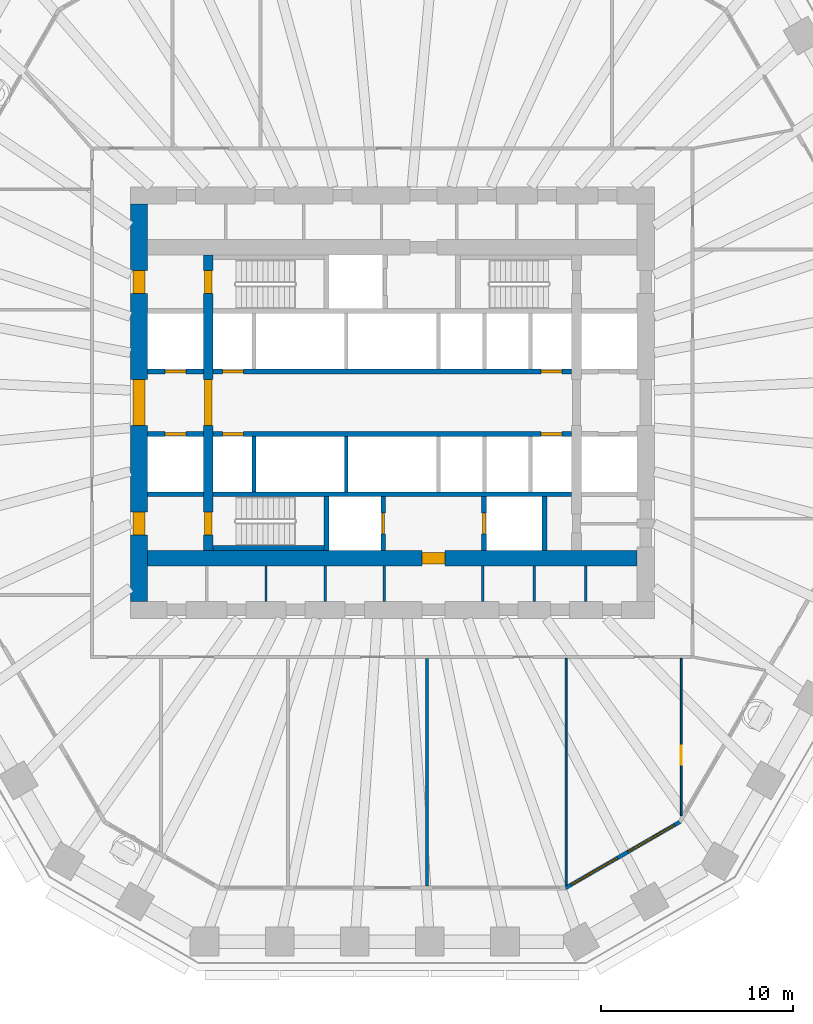
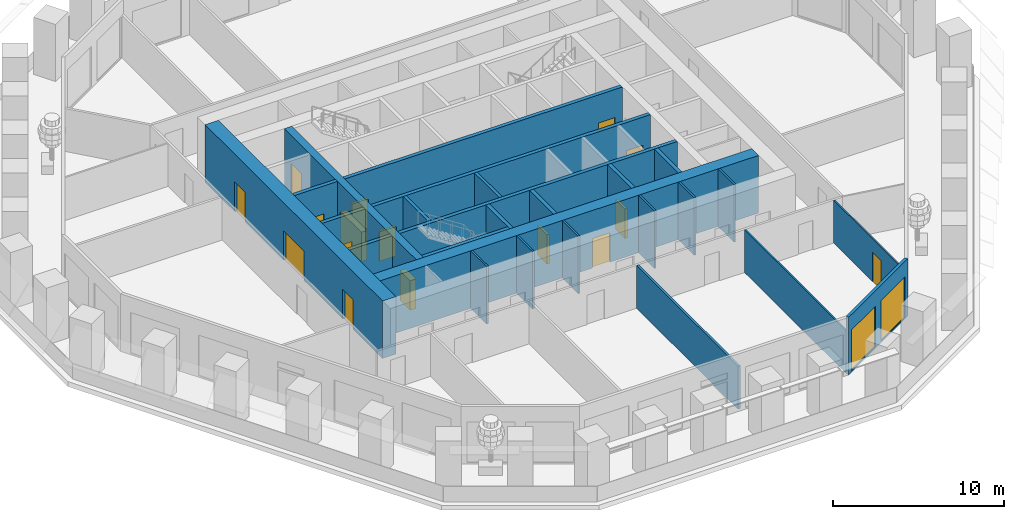
# One storey, part 4 of 12: 26 walls, 16 doors, 2 windows, 18 openings.
"""IFC4 building model written with IfcOpenShell, lengths in metres."""

from ifc_helpers import new_model, si_unit, direction, frame, frame_2d, origin, place, context, subcontext, project, spatial, polyline, rectangle, outline, extrude, material, layer, layer_set, type_object, element, fill, save


model = new_model("IFC4")

# Units and contexts
model_context = context("Model", 3, precision=1e-05, world=origin(), true_north=direction((0.0, 1.0)))
body_context = subcontext(model_context, "Body", "Model", "MODEL_VIEW")
ifc_project = project(units=[si_unit("LENGTHUNIT", "METRE"), si_unit("AREAUNIT", "SQUARE_METRE"), si_unit("VOLUMEUNIT", "CUBIC_METRE"), si_unit("PLANEANGLEUNIT", "RADIAN"), si_unit("MASSUNIT", "GRAM", prefix="KILO")], contexts=[model_context])

# Site, building, storey
site_placement = place(None, origin())
site = spatial("IfcSite", under=ifc_project, at=site_placement, CompositionType="ELEMENT")
building_placement = place(site_placement, origin())
building = spatial("IfcBuilding", under=site, at=building_placement, Name="Frailejon Research Tower", CompositionType="ELEMENT")
storey_placement = place(building_placement, frame((0.0, 0.0, 58.60009765625)))
storey = spatial("IfcBuildingStorey", under=building, at=storey_placement, Name="L13", CompositionType="ELEMENT", Elevation=58.60009765625)

# Walls
ifc_material_1 = material(Name="Plasterboard on steel studs", Category="steel")
ifc_layer_1 = layer(ifc_material_1, 0.125)
ifc_layer_set_1 = layer_set([ifc_layer_1], Name="Core partition 125")
wall_type_1 = type_object("IfcWallType", Name="Core partition 125", PredefinedType="PARTITIONING", material=ifc_layer_set_1)
for number, where, z_axis, x_axis, name in (
    (1, (-6.581298828125, -10.35009765625, 0.0), (0.0, 0.0, 1.0), (0.0, 1.0, 0.0), "Core partition"),
    (2, (-3.496826171875, -10.35009765625, 0.0), (0.0, 0.0, 1.0), (0.0, 1.0, 0.0), "Core partition"),
    (3, (-0.41259765625, -10.35009765625, 0.0), (0.0, 0.0, 1.0), (0.0, 1.0, 0.0), "Core partition"),
    (4, (4.71240234375, -10.35009765625, 0.0), (0.0, 0.0, 1.0), (0.0, 1.0, 0.0), "Core partition"),
    (5, (7.3916015625, -10.35009765625, 0.0), (0.0, 0.0, 1.0), (0.0, 1.0, 0.0), "Core partition"),
    (6, (10.07080078125, -10.35009765625, 0.0), (0.0, 0.0, 1.0), (0.0, 1.0, 0.0), "Core partition"),
):
    element("IfcWall", number, at=place(storey_placement, frame(where, z_axis=z_axis, x_axis=x_axis)), inside=storey, type_object=wall_type_1, Name=name, PredefinedType="PARTITIONING", context=body_context, shape_type="SweptSolid", body=[
        extrude(rectangle(XDim=1.85009765625, YDim=0.125, at=frame_2d((0.925048828125, 0.0))), origin(), (0.0, 0.0, 1.0), 4.099853515625),
    ])

# Wall, openings, doors
ifc_material_2 = material(Name="Concrete C70/85", Category="concrete")
ifc_layer_2 = layer(ifc_material_2, 0.5)
ifc_layer_set_2 = layer_set([ifc_layer_2], Name="Core shear wall 500 C70/85")
wall_type_2 = type_object("IfcWallType", Name="Core shear wall 500 C70/85", PredefinedType="SHEAR", material=ifc_layer_set_2)
wall_1_placement = place(storey_placement, frame((-9.60009765625, -7.699951171875, 0.0), z_axis=(0.0, 0.0, 1.0), x_axis=(0.0, 1.0, 0.0)))
wall_1 = element("IfcWall", 7, at=wall_1_placement, inside=storey, type_object=wall_type_2, Name="Core shear wall", PredefinedType="SHEAR", context=body_context, shape_type="SweptSolid", body=[
    extrude(rectangle(XDim=15.39990234375, YDim=0.5, at=frame_2d((7.699951171875, 0.0))), origin(), (0.0, 0.0, 1.0), 4.099853515625),
])
opening_1_placement = place(wall_1_placement, frame((6.5, 0.0, 0.0)))
opening_1 = element("IfcOpeningElement", 8, at=opening_1_placement, cuts=wall_1, Name="Opening D2", PredefinedType="OPENING", context=body_context, shape_type="SweptSolid", body=[
    extrude(rectangle(XDim=2.39990234375, YDim=2.10009765625, at=frame_2d((1.199951171875, 1.050048828125))), frame((0.0, 0.260009765625, 0.0), z_axis=(0.0, -1.0, 0.0), x_axis=(1.0, 0.0, 0.0)), (0.0, 0.0, 1.0), 0.52001953125),
])
opening_2_placement = place(wall_1_placement, frame((13.39990234375, 0.0, 0.0)))
opening_2 = element("IfcOpeningElement", 9, at=opening_2_placement, cuts=wall_1, Name="Opening D1", PredefinedType="OPENING", context=body_context, shape_type="SweptSolid", body=[
    extrude(rectangle(XDim=1.199951171875, YDim=2.10009765625, at=frame_2d((0.60009765625, 1.050048828125))), frame((0.0, 0.260009765625, 0.0), z_axis=(0.0, -1.0, 0.0), x_axis=(1.0, 0.0, 0.0)), (0.0, 0.0, 1.0), 0.52001953125),
])
opening_3_placement = place(wall_1_placement, frame((0.800048828125, 0.0, 0.0)))
opening_3 = element("IfcOpeningElement", 10, at=opening_3_placement, cuts=wall_1, Name="Opening D1", PredefinedType="OPENING", context=body_context, shape_type="SweptSolid", body=[
    extrude(rectangle(XDim=1.199951171875, YDim=2.10009765625, at=frame_2d((0.60009765625, 1.050048828125))), frame((0.0, 0.260009765625, 0.0), z_axis=(0.0, -1.0, 0.0), x_axis=(1.0, 0.0, 0.0)), (0.0, 0.0, 1.0), 0.52001953125),
])
ifc_material_3 = material(Name="Steel", Category="steel")
door_type_1 = type_object("IfcDoorType", Name="Lobby double door", OperationType="DOUBLE_DOOR_SINGLE_SWING", PredefinedType="DOOR", material=ifc_material_3)
door_1_placement = place(opening_1_placement, origin())
door_1 = element("IfcDoor", 11, at=door_1_placement, inside=storey, type_object=door_type_1, Name="Lobby door", OperationType="DOUBLE_DOOR_SINGLE_SWING", OverallHeight=2.10009765625, OverallWidth=2.39990234375, PredefinedType="DOOR", context=body_context, shape_type="SweptSolid", body=[
    extrude(rectangle(XDim=2.39990234375, YDim=2.10009765625, at=frame_2d((1.199951171875, 1.050048828125))), frame((0.0, 0.199951171875, 0.0), z_axis=(0.0, -1.0, 0.0), x_axis=(1.0, 0.0, 0.0)), (0.0, 0.0, 1.0), 0.39990234375),
])
fill(opening_1, door_1)
ifc_material_4 = material(Name="Steel", Category="steel")
door_type_2 = type_object("IfcDoorType", Name="Stair door", OperationType="SINGLE_SWING_LEFT", PredefinedType="DOOR", material=ifc_material_4)
door_2_placement = place(opening_2_placement, origin())
door_2 = element("IfcDoor", 12, at=door_2_placement, inside=storey, type_object=door_type_2, Name="Stair door ST1", OperationType="SINGLE_SWING_LEFT", OverallHeight=2.10009765625, OverallWidth=1.199951171875, PredefinedType="DOOR", context=body_context, shape_type="SweptSolid", body=[
    extrude(rectangle(XDim=1.199951171875, YDim=2.10009765625, at=frame_2d((0.60009765625, 1.050048828125))), frame((0.0, 0.199951171875, 0.0), z_axis=(0.0, -1.0, 0.0), x_axis=(1.0, 0.0, 0.0)), (0.0, 0.0, 1.0), 0.39990234375),
])
fill(opening_2, door_2)
door_3_placement = place(opening_3_placement, origin())
door_3 = element("IfcDoor", 13, at=door_3_placement, inside=storey, type_object=door_type_2, Name="Stair door ST2", OperationType="SINGLE_SWING_LEFT", OverallHeight=2.10009765625, OverallWidth=1.199951171875, PredefinedType="DOOR", context=body_context, shape_type="SweptSolid", body=[
    extrude(rectangle(XDim=1.199951171875, YDim=2.10009765625, at=frame_2d((0.60009765625, 1.050048828125))), frame((0.0, 0.199951171875, 0.0), z_axis=(0.0, -1.0, 0.0), x_axis=(1.0, 0.0, 0.0)), (0.0, 0.0, 1.0), 0.39990234375),
])
fill(opening_3, door_3)

# Wall, opening, door
ifc_material_5 = material(Name="Concrete C70/85", Category="concrete")
ifc_layer_3 = layer(ifc_material_5, 0.800048828125)
ifc_layer_set_3 = layer_set([ifc_layer_3], Name="Core shear wall 800 C70/85")
wall_type_3 = type_object("IfcWallType", Name="Core shear wall 800 C70/85", PredefinedType="SHEAR", material=ifc_layer_set_3)
wall_2_placement = place(storey_placement, frame((-12.75, -8.10009765625, 0.0), z_axis=(0.0, 0.0, 1.0), x_axis=(1.0, 0.0, 0.0)))
wall_2 = element("IfcWall", 14, at=wall_2_placement, inside=storey, type_object=wall_type_3, Name="Core shear wall", PredefinedType="SHEAR", context=body_context, shape_type="SweptSolid", body=[
    extrude(rectangle(XDim=25.5, YDim=0.800048828125, at=frame_2d((12.75, 0.0))), origin(), (0.0, 0.0, 1.0), 4.099853515625),
])
opening_4_placement = place(wall_2_placement, frame((14.300048828125, 0.0, 0.0)))
opening_4 = element("IfcOpeningElement", 15, at=opening_4_placement, cuts=wall_2, Name="Opening D3", PredefinedType="OPENING", context=body_context, shape_type="SweptSolid", body=[
    extrude(rectangle(XDim=1.199951171875, YDim=2.10009765625, at=frame_2d((0.60009765625, 1.050048828125))), frame((0.0, 0.409912109375, 0.0), z_axis=(0.0, -1.0, 0.0), x_axis=(1.0, 0.0, 0.0)), (0.0, 0.0, 1.0), 0.820068359375),
])
ifc_material_6 = material(Name="Steel", Category="steel")
door_type_3 = type_object("IfcDoorType", Name="Firefighting lobby door", OperationType="SINGLE_SWING_LEFT", PredefinedType="DOOR", material=ifc_material_6)
door_4_placement = place(opening_4_placement, origin())
door_4 = element("IfcDoor", 16, at=door_4_placement, inside=storey, type_object=door_type_3, Name="Firefighting lobby door", OperationType="SINGLE_SWING_LEFT", OverallHeight=2.10009765625, OverallWidth=1.199951171875, PredefinedType="DOOR", context=body_context, shape_type="SweptSolid", body=[
    extrude(rectangle(XDim=1.199951171875, YDim=2.10009765625, at=frame_2d((0.60009765625, 1.050048828125))), frame((0.0, 0.300048828125, 0.0), z_axis=(0.0, -1.0, 0.0), x_axis=(1.0, 0.0, 0.0)), (0.0, 0.0, 1.0), 0.60009765625),
])
fill(opening_4, door_4)

# Wall, openings, doors
ifc_material_7 = material(Name="Concrete C70/85", Category="concrete")
ifc_layer_4 = layer(ifc_material_7, 0.89990234375)
ifc_layer_set_4 = layer_set([ifc_layer_4], Name="Core shear wall 900 C70/85")
wall_type_4 = type_object("IfcWallType", Name="Core shear wall 900 C70/85", PredefinedType="SHEAR", material=ifc_layer_set_4)
wall_3_placement = place(storey_placement, frame((-13.199951171875, -10.35009765625, 0.0), z_axis=(0.0, 0.0, 1.0), x_axis=(0.0, 1.0, 0.0)))
wall_3 = element("IfcWall", 17, at=wall_3_placement, inside=storey, type_object=wall_type_4, Name="Core shear wall", PredefinedType="SHEAR", context=body_context, shape_type="SweptSolid", body=[
    extrude(rectangle(XDim=20.7001953125, YDim=0.89990234375, at=frame_2d((10.35009765625, 0.0))), origin(), (0.0, 0.0, 1.0), 4.099853515625),
])
opening_5_placement = place(wall_3_placement, frame((9.14990234375, 0.0, 0.0)))
opening_5 = element("IfcOpeningElement", 18, at=opening_5_placement, cuts=wall_3, Name="Opening D2", PredefinedType="OPENING", context=body_context, shape_type="SweptSolid", body=[
    extrude(rectangle(XDim=2.39990234375, YDim=2.10009765625, at=frame_2d((1.199951171875, 1.050048828125))), frame((0.0, 0.4599609375, 0.0), z_axis=(0.0, -1.0, 0.0), x_axis=(1.0, 0.0, 0.0)), (0.0, 0.0, 1.0), 0.919921875),
])
opening_6_placement = place(wall_3_placement, frame((16.050048828125, 0.0, 0.0)))
opening_6 = element("IfcOpeningElement", 19, at=opening_6_placement, cuts=wall_3, Name="Opening D7", PredefinedType="OPENING", context=body_context, shape_type="SweptSolid", body=[
    extrude(rectangle(XDim=1.199951171875, YDim=2.10009765625, at=frame_2d((0.60009765625, 1.050048828125))), frame((0.0, 0.4599609375, 0.0), z_axis=(0.0, -1.0, 0.0), x_axis=(1.0, 0.0, 0.0)), (0.0, 0.0, 1.0), 0.919921875),
])
opening_7_placement = place(wall_3_placement, frame((3.449951171875, 0.0, 0.0)))
opening_7 = element("IfcOpeningElement", 20, at=opening_7_placement, cuts=wall_3, Name="Opening D7", PredefinedType="OPENING", context=body_context, shape_type="SweptSolid", body=[
    extrude(rectangle(XDim=1.199951171875, YDim=2.10009765625, at=frame_2d((0.60009765625, 1.050048828125))), frame((0.0, 0.4599609375, 0.0), z_axis=(0.0, -1.0, 0.0), x_axis=(1.0, 0.0, 0.0)), (0.0, 0.0, 1.0), 0.919921875),
])
door_5_placement = place(opening_5_placement, origin())
door_5 = element("IfcDoor", 21, at=door_5_placement, inside=storey, type_object=door_type_1, Name="Lobby door", OperationType="DOUBLE_DOOR_SINGLE_SWING", OverallHeight=2.10009765625, OverallWidth=2.39990234375, PredefinedType="DOOR", context=body_context, shape_type="SweptSolid", body=[
    extrude(rectangle(XDim=2.39990234375, YDim=2.10009765625, at=frame_2d((1.199951171875, 1.050048828125))), frame((0.0, 0.300048828125, 0.0), z_axis=(0.0, -1.0, 0.0), x_axis=(1.0, 0.0, 0.0)), (0.0, 0.0, 1.0), 0.60009765625),
])
fill(opening_5, door_5)
ifc_material_8 = material(Name="Steel", Category="steel")
door_type_4 = type_object("IfcDoorType", Name="Stair exit door", OperationType="SINGLE_SWING_LEFT", PredefinedType="DOOR", material=ifc_material_8)
door_6_placement = place(opening_6_placement, origin())
door_6 = element("IfcDoor", 22, at=door_6_placement, inside=storey, type_object=door_type_4, Name="Stair exit door ST1", OperationType="SINGLE_SWING_RIGHT", OverallHeight=2.10009765625, OverallWidth=1.199951171875, PredefinedType="DOOR", context=body_context, shape_type="SweptSolid", body=[
    extrude(rectangle(XDim=1.199951171875, YDim=2.10009765625, at=frame_2d((0.60009765625, 1.050048828125))), frame((0.0, 0.300048828125, 0.0), z_axis=(0.0, -1.0, 0.0), x_axis=(1.0, 0.0, 0.0)), (0.0, 0.0, 1.0), 0.60009765625),
])
fill(opening_6, door_6)
door_7_placement = place(opening_7_placement, origin())
door_7 = element("IfcDoor", 23, at=door_7_placement, inside=storey, type_object=door_type_4, Name="Stair exit door ST2", OperationType="SINGLE_SWING_RIGHT", OverallHeight=2.10009765625, OverallWidth=1.199951171875, PredefinedType="DOOR", context=body_context, shape_type="SweptSolid", body=[
    extrude(rectangle(XDim=1.199951171875, YDim=2.10009765625, at=frame_2d((0.60009765625, 1.050048828125))), frame((0.0, 0.300048828125, 0.0), z_axis=(0.0, -1.0, 0.0), x_axis=(1.0, 0.0, 0.0)), (0.0, 0.0, 1.0), 0.60009765625),
])
fill(opening_7, door_7)

# Walls
ifc_material_9 = material(Name="Gypsum board and masonry partition", Category="masonry")
ifc_layer_5 = layer(ifc_material_9, 0.14990234375)
ifc_layer_set_5 = layer_set([ifc_layer_5], Name="Laboratory partition, blockwork 150")
wall_type_5 = type_object("IfcWallType", Name="Laboratory partition, blockwork 150", PredefinedType="PARTITIONING", material=ifc_layer_set_5)
wall_4_placement = place(storey_placement, frame((1.8115234375, -25.182861328125, 0.0), z_axis=(0.0, 0.0, 1.0), x_axis=(0.0, 1.0, 0.0)))
element("IfcWall", 24, at=wall_4_placement, inside=storey, type_object=wall_type_5, Name="T:IW:L13:015", PredefinedType="PARTITIONING", context=body_context, shape_type="SweptSolid", body=[
    extrude(rectangle(XDim=11.85791015625, YDim=0.14990234375, at=frame_2d((5.928955078125, 0.0))), origin(), (0.0, 0.0, 1.0), 3.0498046875),
])
ifc_material_10 = material(Name="Gypsum board and masonry partition", Category="masonry")
ifc_layer_6 = layer(ifc_material_10, 0.10009765625)
ifc_layer_set_6 = layer_set([ifc_layer_6], Name="Partition, gypsum on steel studs 100")
wall_type_6 = type_object("IfcWallType", Name="Partition, gypsum on steel studs 100", PredefinedType="PARTITIONING", material=ifc_layer_set_6)
wall_5_placement = place(storey_placement, frame((9.05810546875, -25.15185546875, 0.0), z_axis=(0.0, 0.0, 1.0), x_axis=(0.0, 1.0, 0.0)))
element("IfcWall", 25, at=wall_5_placement, inside=storey, type_object=wall_type_6, Name="T:IW:L13:018", PredefinedType="PARTITIONING", context=body_context, shape_type="SweptSolid", body=[
    extrude(rectangle(XDim=11.826904296875, YDim=0.10009765625, at=frame_2d((5.91357421875, 0.0))), origin(), (0.0, 0.0, 1.0), 3.0498046875),
])

# Wall, opening, door
wall_6_placement = place(storey_placement, frame((15.05810546875, -21.518798828125, 0.0), z_axis=(0.0, 0.0, 1.0), x_axis=(0.0, 1.0, 0.0)))
wall_6 = element("IfcWall", 26, at=wall_6_placement, inside=storey, type_object=wall_type_6, Name="T:IW:L13:019", PredefinedType="PARTITIONING", context=body_context, shape_type="SweptSolid", body=[
    extrude(rectangle(XDim=8.19384765625, YDim=0.10009765625, at=frame_2d((4.096923828125, 0.0))), origin(), (0.0, 0.0, 1.0), 3.0498046875),
])
opening_8_placement = place(wall_6_placement, frame((2.64892578125, 0.0, 0.0)))
opening_8 = element("IfcOpeningElement", 27, at=opening_8_placement, cuts=wall_6, Name="Opening D1449", PredefinedType="OPENING", context=body_context, shape_type="SweptSolid", body=[
    extrude(rectangle(XDim=1.0, YDim=2.10009765625, at=frame_2d((0.5, 1.050048828125))), frame((0.0, 0.06005859375, 0.0), z_axis=(0.0, -1.0, 0.0), x_axis=(1.0, 0.0, 0.0)), (0.0, 0.0, 1.0), 0.1201171875),
])
ifc_material_11 = material(Name="Timber door leaf", Category="wood")
door_type_5 = type_object("IfcDoorType", Name="Door single leaf, timber, steel frame 1000", OperationType="NOTDEFINED", PredefinedType="DOOR", material=ifc_material_11)
door_8_placement = place(opening_8_placement, origin())
door_8 = element("IfcDoor", 28, at=door_8_placement, inside=storey, type_object=door_type_5, Name="D1449", OperationType="SINGLE_SWING_RIGHT", OverallHeight=2.10009765625, OverallWidth=1.0, PredefinedType="DOOR", context=body_context, shape_type="SweptSolid", body=[
    extrude(rectangle(XDim=1.0, YDim=2.10009765625, at=frame_2d((0.5, 1.050048828125))), frame((0.0, 0.02490234375, 0.0), z_axis=(0.0, -1.0, 0.0), x_axis=(1.0, 0.0, 0.0)), (0.0, 0.0, 1.0), 0.050048828125),
])
fill(opening_8, door_8)

# Walls
ifc_material_12 = material(Name="Concrete C70/85", Category="concrete")
ifc_layer_7 = layer(ifc_material_12, 0.199951171875)
ifc_layer_set_7 = layer_set([ifc_layer_7], Name="Shaft wall 200 C70/85")
wall_type_7 = type_object("IfcWallType", Name="Shaft wall 200 C70/85", PredefinedType="SOLIDWALL", material=ifc_layer_set_7)
for number, where, z_axis, x_axis, name in (
    (29, (-7.199951171875, -4.64990234375, 0.0), (0.0, 0.0, 1.0), (0.0, 1.0, 0.0), "Shaft wall"),
    (30, (-2.39990234375, -4.64990234375, 0.0), (0.0, 0.0, 1.0), (0.0, 1.0, 0.0), "Shaft wall"),
):
    element("IfcWall", number, at=place(storey_placement, frame(where, z_axis=z_axis, x_axis=x_axis)), inside=storey, type_object=wall_type_7, Name=name, PredefinedType="SOLIDWALL", context=body_context, shape_type="SweptSolid", body=[
        extrude(rectangle(XDim=2.89990234375, YDim=0.199951171875, at=frame_2d((1.449951171875, 0.0))), origin(), (0.0, 0.0, 1.0), 4.099853515625),
    ])

# Wall, opening, door
ifc_material_13 = material(Name="Concrete C70/85", Category="concrete")
ifc_layer_8 = layer(ifc_material_13, 0.25)
ifc_layer_set_8 = layer_set([ifc_layer_8], Name="Shaft wall 250 C70/85")
wall_type_8 = type_object("IfcWallType", Name="Shaft wall 250 C70/85", PredefinedType="SOLIDWALL", material=ifc_layer_set_8)
wall_7_placement = place(storey_placement, frame((-12.75, 1.625, 0.0), z_axis=(0.0, 0.0, 1.0), x_axis=(1.0, 0.0, 0.0)))
wall_7 = element("IfcWall", 31, at=wall_7_placement, inside=storey, type_object=wall_type_8, Name="Shaft wall", PredefinedType="SOLIDWALL", context=body_context, shape_type="SweptSolid", body=[
    extrude(rectangle(XDim=2.89990234375, YDim=0.25, at=frame_2d((1.449951171875, 0.0))), origin(), (0.0, 0.0, 1.0), 4.099853515625),
])
opening_9_placement = place(wall_7_placement, frame((0.89990234375, 0.0, 0.0)))
opening_9 = element("IfcOpeningElement", 32, at=opening_9_placement, cuts=wall_7, Name="Opening LD", PredefinedType="OPENING", context=body_context, shape_type="SweptSolid", body=[
    extrude(rectangle(XDim=1.10009765625, YDim=2.10009765625, at=frame_2d((0.550048828125, 1.050048828125))), frame((0.0, 0.135009765625, 0.0), z_axis=(0.0, -1.0, 0.0), x_axis=(1.0, 0.0, 0.0)), (0.0, 0.0, 1.0), 0.27001953125),
])
ifc_material_14 = material(Name="Steel", Category="steel")
door_type_6 = type_object("IfcDoorType", Name="Lift landing door", OperationType="DOUBLE_DOOR_SLIDING", PredefinedType="DOOR", material=ifc_material_14)
door_9_placement = place(opening_9_placement, origin())
door_9 = element("IfcDoor", 33, at=door_9_placement, inside=storey, type_object=door_type_6, Name="Lift landing door", OperationType="DOUBLE_DOOR_SLIDING", OverallHeight=2.10009765625, OverallWidth=1.10009765625, PredefinedType="DOOR", context=body_context, shape_type="SweptSolid", body=[
    extrude(rectangle(XDim=1.10009765625, YDim=2.10009765625, at=frame_2d((0.550048828125, 1.050048828125))), frame((0.0, 0.074951171875, 0.0), z_axis=(0.0, -1.0, 0.0), x_axis=(1.0, 0.0, 0.0)), (0.0, 0.0, 1.0), 0.14990234375),
])
fill(opening_9, door_9)

# Wall, openings, doors
wall_8_placement = place(storey_placement, frame((-9.35009765625, 1.625, 0.0), z_axis=(0.0, 0.0, 1.0), x_axis=(1.0, 0.0, 0.0)))
wall_8 = element("IfcWall", 34, at=wall_8_placement, inside=storey, type_object=wall_type_8, Name="Shaft wall", PredefinedType="SOLIDWALL", context=body_context, shape_type="SweptSolid", body=[
    extrude(rectangle(XDim=18.7001953125, YDim=0.25, at=frame_2d((9.35009765625, 0.0))), origin(), (0.0, 0.0, 1.0), 4.099853515625),
])
opening_10_placement = place(wall_8_placement, frame((0.5, 0.0, 0.0)))
opening_10 = element("IfcOpeningElement", 35, at=opening_10_placement, cuts=wall_8, Name="Opening LD", PredefinedType="OPENING", context=body_context, shape_type="SweptSolid", body=[
    extrude(rectangle(XDim=1.10009765625, YDim=2.10009765625, at=frame_2d((0.550048828125, 1.050048828125))), frame((0.0, 0.135009765625, 0.0), z_axis=(0.0, -1.0, 0.0), x_axis=(1.0, 0.0, 0.0)), (0.0, 0.0, 1.0), 0.27001953125),
])
opening_11_placement = place(wall_8_placement, frame((17.10009765625, 0.0, 0.0)))
opening_11 = element("IfcOpeningElement", 36, at=opening_11_placement, cuts=wall_8, Name="Opening LD", PredefinedType="OPENING", context=body_context, shape_type="SweptSolid", body=[
    extrude(rectangle(XDim=1.10009765625, YDim=2.10009765625, at=frame_2d((0.550048828125, 1.050048828125))), frame((0.0, 0.135009765625, 0.0), z_axis=(0.0, -1.0, 0.0), x_axis=(1.0, 0.0, 0.0)), (0.0, 0.0, 1.0), 0.27001953125),
])
door_10_placement = place(opening_10_placement, origin())
door_10 = element("IfcDoor", 37, at=door_10_placement, inside=storey, type_object=door_type_6, Name="Lift landing door", OperationType="DOUBLE_DOOR_SLIDING", OverallHeight=2.10009765625, OverallWidth=1.10009765625, PredefinedType="DOOR", context=body_context, shape_type="SweptSolid", body=[
    extrude(rectangle(XDim=1.10009765625, YDim=2.10009765625, at=frame_2d((0.550048828125, 1.050048828125))), frame((0.0, 0.074951171875, 0.0), z_axis=(0.0, -1.0, 0.0), x_axis=(1.0, 0.0, 0.0)), (0.0, 0.0, 1.0), 0.14990234375),
])
fill(opening_10, door_10)
door_11_placement = place(opening_11_placement, origin())
door_11 = element("IfcDoor", 38, at=door_11_placement, inside=storey, type_object=door_type_6, Name="Lift landing door", OperationType="DOUBLE_DOOR_SLIDING", OverallHeight=2.10009765625, OverallWidth=1.10009765625, PredefinedType="DOOR", context=body_context, shape_type="SweptSolid", body=[
    extrude(rectangle(XDim=1.10009765625, YDim=2.10009765625, at=frame_2d((0.550048828125, 1.050048828125))), frame((0.0, 0.074951171875, 0.0), z_axis=(0.0, -1.0, 0.0), x_axis=(1.0, 0.0, 0.0)), (0.0, 0.0, 1.0), 0.14990234375),
])
fill(opening_11, door_11)

# Wall, opening, door
wall_9_placement = place(storey_placement, frame((-12.75, -1.625, 0.0), z_axis=(0.0, 0.0, 1.0), x_axis=(1.0, 0.0, 0.0)))
wall_9 = element("IfcWall", 39, at=wall_9_placement, inside=storey, type_object=wall_type_8, Name="Shaft wall", PredefinedType="SOLIDWALL", context=body_context, shape_type="SweptSolid", body=[
    extrude(rectangle(XDim=2.89990234375, YDim=0.25, at=frame_2d((1.449951171875, 0.0))), origin(), (0.0, 0.0, 1.0), 4.099853515625),
])
opening_12_placement = place(wall_9_placement, frame((0.89990234375, 0.0, 0.0)))
opening_12 = element("IfcOpeningElement", 40, at=opening_12_placement, cuts=wall_9, Name="Opening LD", PredefinedType="OPENING", context=body_context, shape_type="SweptSolid", body=[
    extrude(rectangle(XDim=1.10009765625, YDim=2.10009765625, at=frame_2d((0.550048828125, 1.050048828125))), frame((0.0, 0.135009765625, 0.0), z_axis=(0.0, -1.0, 0.0), x_axis=(1.0, 0.0, 0.0)), (0.0, 0.0, 1.0), 0.27001953125),
])
door_12_placement = place(opening_12_placement, origin())
door_12 = element("IfcDoor", 41, at=door_12_placement, inside=storey, type_object=door_type_6, Name="Lift landing door", OperationType="DOUBLE_DOOR_SLIDING", OverallHeight=2.10009765625, OverallWidth=1.10009765625, PredefinedType="DOOR", context=body_context, shape_type="SweptSolid", body=[
    extrude(rectangle(XDim=1.10009765625, YDim=2.10009765625, at=frame_2d((0.550048828125, 1.050048828125))), frame((0.0, 0.074951171875, 0.0), z_axis=(0.0, -1.0, 0.0), x_axis=(1.0, 0.0, 0.0)), (0.0, 0.0, 1.0), 0.14990234375),
])
fill(opening_12, door_12)

# Wall, openings, doors
wall_10_placement = place(storey_placement, frame((-9.35009765625, -1.625, 0.0), z_axis=(0.0, 0.0, 1.0), x_axis=(1.0, 0.0, 0.0)))
wall_10 = element("IfcWall", 42, at=wall_10_placement, inside=storey, type_object=wall_type_8, Name="Shaft wall", PredefinedType="SOLIDWALL", context=body_context, shape_type="SweptSolid", body=[
    extrude(rectangle(XDim=18.7001953125, YDim=0.25, at=frame_2d((9.35009765625, 0.0))), origin(), (0.0, 0.0, 1.0), 4.099853515625),
])
opening_13_placement = place(wall_10_placement, frame((0.5, 0.0, 0.0)))
opening_13 = element("IfcOpeningElement", 43, at=opening_13_placement, cuts=wall_10, Name="Opening LD", PredefinedType="OPENING", context=body_context, shape_type="SweptSolid", body=[
    extrude(rectangle(XDim=1.10009765625, YDim=2.10009765625, at=frame_2d((0.550048828125, 1.050048828125))), frame((0.0, 0.135009765625, 0.0), z_axis=(0.0, -1.0, 0.0), x_axis=(1.0, 0.0, 0.0)), (0.0, 0.0, 1.0), 0.27001953125),
])
opening_14_placement = place(wall_10_placement, frame((17.10009765625, 0.0, 0.0)))
opening_14 = element("IfcOpeningElement", 44, at=opening_14_placement, cuts=wall_10, Name="Opening LD", PredefinedType="OPENING", context=body_context, shape_type="SweptSolid", body=[
    extrude(rectangle(XDim=1.10009765625, YDim=2.10009765625, at=frame_2d((0.550048828125, 1.050048828125))), frame((0.0, 0.135009765625, 0.0), z_axis=(0.0, -1.0, 0.0), x_axis=(1.0, 0.0, 0.0)), (0.0, 0.0, 1.0), 0.27001953125),
])
door_13_placement = place(opening_13_placement, origin())
door_13 = element("IfcDoor", 45, at=door_13_placement, inside=storey, type_object=door_type_6, Name="Lift landing door", OperationType="DOUBLE_DOOR_SLIDING", OverallHeight=2.10009765625, OverallWidth=1.10009765625, PredefinedType="DOOR", context=body_context, shape_type="SweptSolid", body=[
    extrude(rectangle(XDim=1.10009765625, YDim=2.10009765625, at=frame_2d((0.550048828125, 1.050048828125))), frame((0.0, 0.074951171875, 0.0), z_axis=(0.0, -1.0, 0.0), x_axis=(1.0, 0.0, 0.0)), (0.0, 0.0, 1.0), 0.14990234375),
])
fill(opening_13, door_13)
door_14_placement = place(opening_14_placement, origin())
door_14 = element("IfcDoor", 46, at=door_14_placement, inside=storey, type_object=door_type_6, Name="Lift landing door", OperationType="DOUBLE_DOOR_SLIDING", OverallHeight=2.10009765625, OverallWidth=1.10009765625, PredefinedType="DOOR", context=body_context, shape_type="SweptSolid", body=[
    extrude(rectangle(XDim=1.10009765625, YDim=2.10009765625, at=frame_2d((0.550048828125, 1.050048828125))), frame((0.0, 0.074951171875, 0.0), z_axis=(0.0, -1.0, 0.0), x_axis=(1.0, 0.0, 0.0)), (0.0, 0.0, 1.0), 0.14990234375),
])
fill(opening_14, door_14)

# Walls
wall_11_placement = place(storey_placement, frame((-12.75, -4.77490234375, 0.0), z_axis=(0.0, 0.0, 1.0), x_axis=(1.0, 0.0, 0.0)))
element("IfcWall", 47, at=wall_11_placement, inside=storey, type_object=wall_type_8, Name="Shaft wall", PredefinedType="SOLIDWALL", context=body_context, shape_type="SweptSolid", body=[
    extrude(rectangle(XDim=2.89990234375, YDim=0.25, at=frame_2d((1.449951171875, 0.0))), origin(), (0.0, 0.0, 1.0), 4.099853515625),
])
wall_12_placement = place(storey_placement, frame((-9.35009765625, -4.77490234375, 0.0), z_axis=(0.0, 0.0, 1.0), x_axis=(1.0, 0.0, 0.0)))
element("IfcWall", 48, at=wall_12_placement, inside=storey, type_object=wall_type_8, Name="Shaft wall", PredefinedType="SOLIDWALL", context=body_context, shape_type="SweptSolid", body=[
    extrude(rectangle(XDim=18.7001953125, YDim=0.25, at=frame_2d((9.35009765625, 0.0))), origin(), (0.0, 0.0, 1.0), 4.099853515625),
])
wall_13_placement = place(storey_placement, frame((-9.35009765625, -7.574951171875, 0.0), z_axis=(0.0, 0.0, 1.0), x_axis=(1.0, 0.0, 0.0)))
element("IfcWall", 49, at=wall_13_placement, inside=storey, type_object=wall_type_8, Name="Shaft wall", PredefinedType="SOLIDWALL", context=body_context, shape_type="SweptSolid", body=[
    extrude(rectangle(XDim=5.800048828125, YDim=0.25, at=frame_2d((2.89990234375, 0.0))), origin(), (0.0, 0.0, 1.0), 4.099853515625),
])
wall_14_placement = place(storey_placement, frame((-3.425048828125, -7.699951171875, 0.0), z_axis=(0.0, 0.0, 1.0), x_axis=(0.0, 1.0, 0.0)))
element("IfcWall", 50, at=wall_14_placement, inside=storey, type_object=wall_type_8, Name="Shaft wall", PredefinedType="SOLIDWALL", context=body_context, shape_type="SweptSolid", body=[
    extrude(rectangle(XDim=2.800048828125, YDim=0.25, at=frame_2d((1.39990234375, 0.0))), origin(), (0.0, 0.0, 1.0), 4.099853515625),
])

# Wall, opening, door
wall_15_placement = place(storey_placement, frame((-0.47509765625, -7.699951171875, 0.0), z_axis=(0.0, 0.0, 1.0), x_axis=(0.0, 1.0, 0.0)))
wall_15 = element("IfcWall", 51, at=wall_15_placement, inside=storey, type_object=wall_type_8, Name="Shaft wall", PredefinedType="SOLIDWALL", context=body_context, shape_type="SweptSolid", body=[
    extrude(rectangle(XDim=2.800048828125, YDim=0.25, at=frame_2d((1.39990234375, 0.0))), origin(), (0.0, 0.0, 1.0), 4.099853515625),
])
opening_15_placement = place(wall_15_placement, frame((0.85009765625, 0.0, 0.0)))
opening_15 = element("IfcOpeningElement", 52, at=opening_15_placement, cuts=wall_15, Name="Opening LD", PredefinedType="OPENING", context=body_context, shape_type="SweptSolid", body=[
    extrude(rectangle(XDim=1.10009765625, YDim=2.10009765625, at=frame_2d((0.550048828125, 1.050048828125))), frame((0.0, 0.135009765625, 0.0), z_axis=(0.0, -1.0, 0.0), x_axis=(1.0, 0.0, 0.0)), (0.0, 0.0, 1.0), 0.27001953125),
])
door_15_placement = place(opening_15_placement, origin())
door_15 = element("IfcDoor", 53, at=door_15_placement, inside=storey, type_object=door_type_6, Name="Lift landing door", OperationType="DOUBLE_DOOR_SLIDING", OverallHeight=2.10009765625, OverallWidth=1.10009765625, PredefinedType="DOOR", context=body_context, shape_type="SweptSolid", body=[
    extrude(rectangle(XDim=1.10009765625, YDim=2.10009765625, at=frame_2d((0.550048828125, 1.050048828125))), frame((0.0, 0.074951171875, 0.0), z_axis=(0.0, -1.0, 0.0), x_axis=(1.0, 0.0, 0.0)), (0.0, 0.0, 1.0), 0.14990234375),
])
fill(opening_15, door_15)

wall_16_placement = place(storey_placement, frame((4.77490234375, -7.699951171875, 0.0), z_axis=(0.0, 0.0, 1.0), x_axis=(0.0, 1.0, 0.0)))
wall_16 = element("IfcWall", 54, at=wall_16_placement, inside=storey, type_object=wall_type_8, Name="Shaft wall", PredefinedType="SOLIDWALL", context=body_context, shape_type="SweptSolid", body=[
    extrude(rectangle(XDim=2.800048828125, YDim=0.25, at=frame_2d((1.39990234375, 0.0))), origin(), (0.0, 0.0, 1.0), 4.099853515625),
])
opening_16_placement = place(wall_16_placement, frame((0.85009765625, 0.0, 0.0)))
opening_16 = element("IfcOpeningElement", 55, at=opening_16_placement, cuts=wall_16, Name="Opening LD", PredefinedType="OPENING", context=body_context, shape_type="SweptSolid", body=[
    extrude(rectangle(XDim=1.10009765625, YDim=2.10009765625, at=frame_2d((0.550048828125, 1.050048828125))), frame((0.0, 0.135009765625, 0.0), z_axis=(0.0, -1.0, 0.0), x_axis=(1.0, 0.0, 0.0)), (0.0, 0.0, 1.0), 0.27001953125),
])
door_16_placement = place(opening_16_placement, origin())
door_16 = element("IfcDoor", 56, at=door_16_placement, inside=storey, type_object=door_type_6, Name="Lift landing door", OperationType="DOUBLE_DOOR_SLIDING", OverallHeight=2.10009765625, OverallWidth=1.10009765625, PredefinedType="DOOR", context=body_context, shape_type="SweptSolid", body=[
    extrude(rectangle(XDim=1.10009765625, YDim=2.10009765625, at=frame_2d((0.550048828125, 1.050048828125))), frame((0.0, 0.074951171875, 0.0), z_axis=(0.0, -1.0, 0.0), x_axis=(1.0, 0.0, 0.0)), (0.0, 0.0, 1.0), 0.14990234375),
])
fill(opening_16, door_16)

# Wall
wall_17_placement = place(storey_placement, frame((7.925048828125, -7.699951171875, 0.0), z_axis=(0.0, 0.0, 1.0), x_axis=(0.0, 1.0, 0.0)))
element("IfcWall", 57, at=wall_17_placement, inside=storey, type_object=wall_type_8, Name="Shaft wall", PredefinedType="SOLIDWALL", context=body_context, shape_type="SweptSolid", body=[
    extrude(rectangle(XDim=2.800048828125, YDim=0.25, at=frame_2d((1.39990234375, 0.0))), origin(), (0.0, 0.0, 1.0), 4.099853515625),
])

# Wall, openings, windows
ifc_material_15 = material(Name="Concrete C40/50 precast window wall panel", Category="concrete")
ifc_layer_9 = layer(ifc_material_15, 0.199951171875)
ifc_layer_set_9 = layer_set([ifc_layer_9], Name="Window wall 200")
wall_type_9 = type_object("IfcWallType", Name="Window wall 200", PredefinedType="SOLIDWALL", material=ifc_layer_set_9)
wall_18_placement = place(storey_placement, frame((9.03125, -25.28271484375, 0.0), z_axis=(0.0, 0.0, 1.0), x_axis=(0.866029458321, 0.49999297727, 0.0)))
wall_18 = element("IfcWall", 58, at=wall_18_placement, inside=storey, type_object=wall_type_9, Name="Exterior wall L13", PredefinedType="SOLIDWALL", context=body_context, shape_type="SweptSolid", body=[
    extrude(outline(polyline([(-0.02685546875, -0.10009765625), (1.1279296875, -0.10009765625), (2.282470703125, -0.10009765625), (3.437255859375, -0.10009765625), (4.592041015625, -0.10009765625), (5.74658203125, -0.10009765625), (6.9013671875, -0.10009765625), (6.84765625, 0.10009765625), (5.7109375, 0.10009765625), (4.573974609375, 0.10009765625), (3.437255859375, 0.10009765625), (2.300537109375, 0.10009765625), (1.16357421875, 0.10009765625), (0.02685546875, 0.10009765625), (-0.02685546875, -0.10009765625)])), origin(), (0.0, 0.0, 1.0), 4.099853515625),
])
opening_17_placement = place(wall_18_placement, frame((0.318603515625, 0.0, 0.10009765625)))
opening_17 = element("IfcOpeningElement", 59, at=opening_17_placement, cuts=wall_18, Name="Opening W3", PredefinedType="OPENING", context=body_context, shape_type="SweptSolid", body=[
    extrude(rectangle(XDim=2.800048828125, YDim=2.89990234375, at=frame_2d((1.39990234375, 1.449951171875))), frame((0.0, 0.10986328125, 0.0), z_axis=(0.0, -1.0, 0.0), x_axis=(1.0, 0.0, 0.0)), (0.0, 0.0, 1.0), 0.219970703125),
])
opening_18_placement = place(wall_18_placement, frame((3.756103515625, 0.0, 0.10009765625)))
opening_18 = element("IfcOpeningElement", 60, at=opening_18_placement, cuts=wall_18, Name="Opening W3", PredefinedType="OPENING", context=body_context, shape_type="SweptSolid", body=[
    extrude(rectangle(XDim=2.800048828125, YDim=2.89990234375, at=frame_2d((1.39990234375, 1.449951171875))), frame((0.0, 0.10986328125, 0.0), z_axis=(0.0, -1.0, 0.0), x_axis=(1.0, 0.0, 0.0)), (0.0, 0.0, 1.0), 0.219970703125),
])
ifc_material_16 = material(Name="Aluminium framed double glazing", Category="aluminium")
window_type = type_object("IfcWindowType", Name="Window 2800x2900", PartitioningType="SINGLE_PANEL", PredefinedType="WINDOW", material=ifc_material_16)
window_1_placement = place(opening_17_placement, origin())
window_1 = element("IfcWindow", 61, at=window_1_placement, inside=storey, type_object=window_type, Name="Window L13", OverallHeight=2.89990234375, OverallWidth=2.800048828125, PartitioningType="SINGLE_PANEL", PredefinedType="WINDOW", context=body_context, shape_type="SweptSolid", body=[
    extrude(rectangle(XDim=2.800048828125, YDim=2.89990234375, at=frame_2d((1.39990234375, 1.449951171875))), frame((0.0, 0.030029296875, 0.0), z_axis=(0.0, -1.0, 0.0), x_axis=(1.0, 0.0, 0.0)), (0.0, 0.0, 1.0), 0.06005859375),
])
fill(opening_17, window_1)
window_2_placement = place(opening_18_placement, origin())
window_2 = element("IfcWindow", 62, at=window_2_placement, inside=storey, type_object=window_type, Name="Window L13", OverallHeight=2.89990234375, OverallWidth=2.800048828125, PartitioningType="SINGLE_PANEL", PredefinedType="WINDOW", context=body_context, shape_type="SweptSolid", body=[
    extrude(rectangle(XDim=2.800048828125, YDim=2.89990234375, at=frame_2d((1.39990234375, 1.449951171875))), frame((0.0, 0.030029296875, 0.0), z_axis=(0.0, -1.0, 0.0), x_axis=(1.0, 0.0, 0.0)), (0.0, 0.0, 1.0), 0.06005859375),
])
fill(opening_18, window_2)

save(model, "model.ifc")
